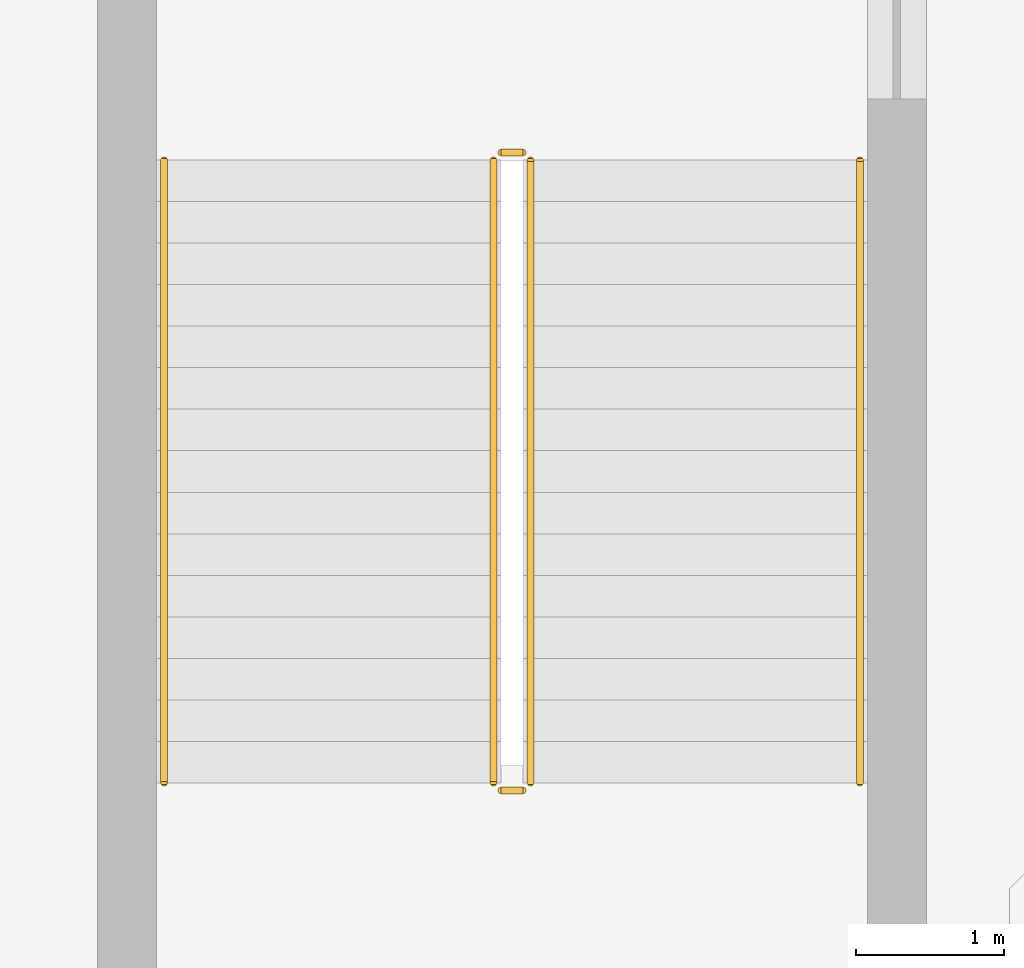
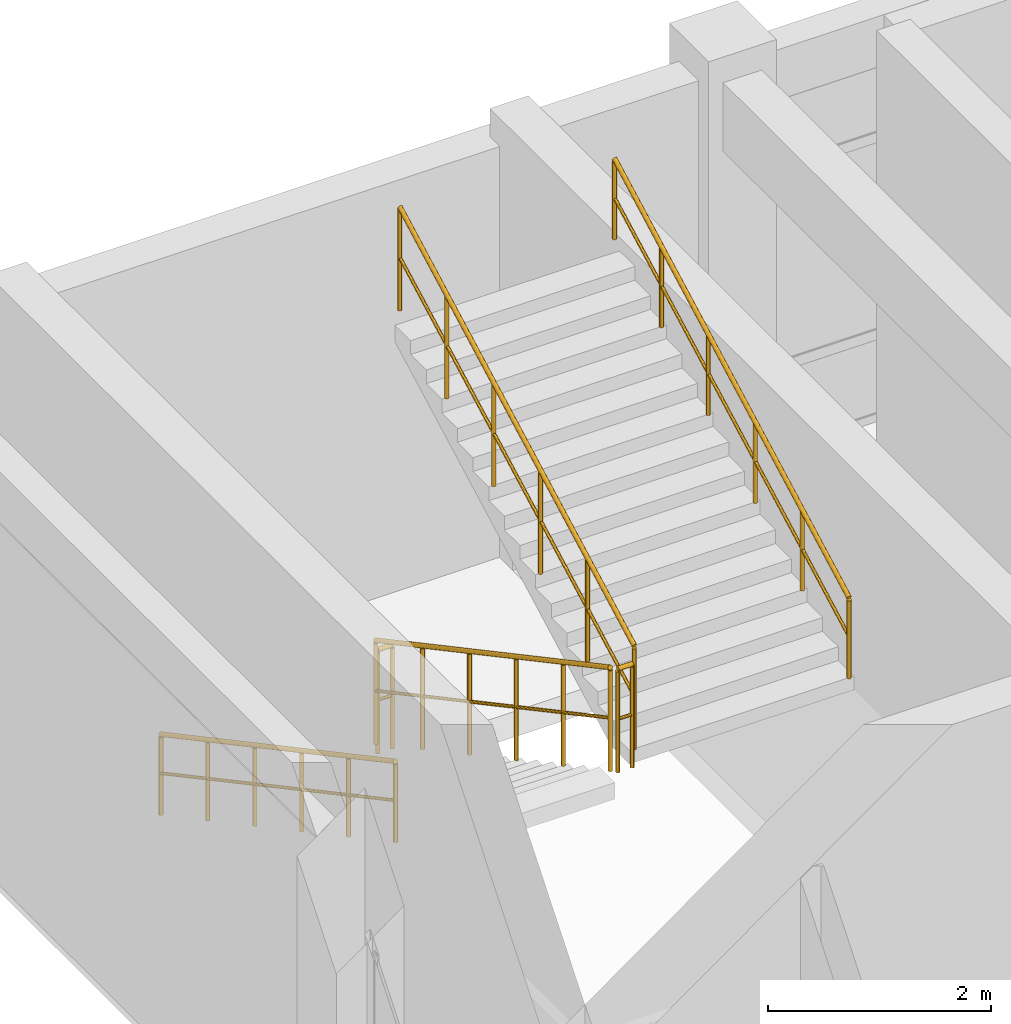
# One storey, part 73 of 76: 6 railings.
"""IFC4 building model written with IfcOpenShell, lengths in metres."""

from ifc_helpers import new_model, si_unit, derived_unit, direction, frame, origin, origin_2d, place, context, subcontext, project, spatial, circle, extrude, material, type_object, element, save


model = new_model("IFC4")

# Units and contexts
model_context = context("Model", 3, precision=1e-05, world=origin(), true_north=direction((0.0, 1.0)))
body_context = subcontext(model_context, "Body", "Model", "MODEL_VIEW")
ifc_project = project(units=[si_unit("LENGTHUNIT", "METRE"), si_unit("AREAUNIT", "SQUARE_METRE"), si_unit("VOLUMEUNIT", "CUBIC_METRE"), si_unit("PLANEANGLEUNIT", "RADIAN"), si_unit("MASSUNIT", "GRAM", prefix="KILO"), derived_unit("THERMALTRANSMITTANCEUNIT", [(si_unit("MASSUNIT", "GRAM", prefix="KILO"), 1), (si_unit("TIMEUNIT", "SECOND"), -3), (si_unit("THERMODYNAMICTEMPERATUREUNIT", "KELVIN"), -1)])], contexts=[model_context])

# Site, building, storey
site_placement = place(None, origin())
site = spatial("IfcSite", under=ifc_project, at=site_placement, CompositionType="ELEMENT")
building_placement = place(site_placement, origin())
building = spatial("IfcBuilding", under=site, at=building_placement, Name="Qinzheling Arcade Emporium", CompositionType="ELEMENT")
storey_placement = place(building_placement, frame((0.0, 0.0, 26.699951171875)))
storey = spatial("IfcBuildingStorey", under=building, at=storey_placement, Name="L06", CompositionType="ELEMENT", Elevation=26.699951171875)

# Railings
ifc_material_1 = material(Name="Galvanised powder-coated tubular steel", Category="steel")
railing_type_1 = type_object("IfcRailingType", Name="Painted Steel Stairwell Guard Railing 1150", PredefinedType="GUARDRAIL", material=ifc_material_1)
railing_1_placement = place(storey_placement, frame((38.570068359375, 71.47998046875, 0.150146484375)))
element("IfcRailing", 1, at=railing_1_placement, inside=storey, type_object=railing_type_1, Name="L06 ST03 stair guard 1", PredefinedType="GUARDRAIL", context=body_context, shape_type="SweptSolid", body=[
    extrude(circle(Radius=0.02392578125, at=origin_2d()), frame((0.0, 0.0, 1.1259765625), z_axis=(0.0, -0.881477684796, 0.472225678258), x_axis=(1.0, 0.0, 0.0)), (0.0, 0.0, 1.0), 4.7646484375),
    extrude(circle(Radius=0.01611328125, at=origin_2d()), frame((0.0, 0.0, 0.574951171875), z_axis=(0.0, -0.881477684796, 0.472225678258), x_axis=(1.0, 0.0, 0.0)), (0.0, 0.0, 1.0), 4.7646484375),
    extrude(circle(Radius=0.02099609375, at=origin_2d()), origin(), (0.0, 0.0, 1.0), 1.101806640625),
    extrude(circle(Radius=0.02099609375, at=origin_2d()), frame((0.0, -0.840087890625, 0.449951171875)), (0.0, 0.0, 1.0), 1.101806640625),
    extrude(circle(Radius=0.02099609375, at=origin_2d()), frame((0.0, -1.679931640625, 0.89990234375)), (0.0, 0.0, 1.0), 1.101806640625),
    extrude(circle(Radius=0.02099609375, at=origin_2d()), frame((0.0, -2.52001953125, 1.35009765625)), (0.0, 0.0, 1.0), 1.101806640625),
    extrude(circle(Radius=0.02099609375, at=origin_2d()), frame((0.0, -3.35986328125, 1.800048828125)), (0.0, 0.0, 1.0), 1.101806640625),
    extrude(circle(Radius=0.02099609375, at=origin_2d()), frame((0.0, -4.199951171875, 2.25)), (0.0, 0.0, 1.0), 1.101806640625),
])
railing_2_placement = place(storey_placement, frame((38.6201171875, 67.22998046875, 2.400146484375)))
element("IfcRailing", 2, at=railing_2_placement, inside=storey, type_object=railing_type_1, Name="L06 ST03 stair guard 2", PredefinedType="GUARDRAIL", context=body_context, shape_type="SweptSolid", body=[
    extrude(circle(Radius=0.02392578125, at=origin_2d()), frame((0.0, 0.0, 1.1259765625), z_axis=(1.0, 0.0, 0.0), x_axis=(0.0, 1.0, 0.0)), (0.0, 0.0, 1.0), 0.14990234375),
    extrude(circle(Radius=0.01611328125, at=origin_2d()), frame((0.0, 0.0, 0.574951171875), z_axis=(1.0, 0.0, 0.0), x_axis=(0.0, 1.0, 0.0)), (0.0, 0.0, 1.0), 0.14990234375),
    extrude(circle(Radius=0.02099609375, at=origin_2d()), origin(), (0.0, 0.0, 1.0), 1.101806640625),
    extrude(circle(Radius=0.02099609375, at=origin_2d()), frame((0.14990234375, 0.0, 0.0)), (0.0, 0.0, 1.0), 1.101806640625),
])
railing_3_placement = place(storey_placement, frame((38.820068359375, 67.280029296875, 2.550048828125)))
element("IfcRailing", 3, at=railing_3_placement, inside=storey, type_object=railing_type_1, Name="L06 ST03 stair guard 3", PredefinedType="GUARDRAIL", context=body_context, shape_type="SweptSolid", body=[
    extrude(circle(Radius=0.02392578125, at=origin_2d()), frame((0.0, 0.0, 1.1259765625), z_axis=(0.0, 0.881477684796, 0.472225678258), x_axis=(-1.0, 0.0, 0.0)), (0.0, 0.0, 1.0), 4.7646484375),
    extrude(circle(Radius=0.01611328125, at=origin_2d()), frame((0.0, 0.0, 0.574951171875), z_axis=(0.0, 0.881477684796, 0.472225678258), x_axis=(-1.0, 0.0, 0.0)), (0.0, 0.0, 1.0), 4.7646484375),
    extrude(circle(Radius=0.02099609375, at=origin_2d()), origin(), (0.0, 0.0, 1.0), 1.101806640625),
    extrude(circle(Radius=0.02099609375, at=origin_2d()), frame((0.0, 0.840087890625, 0.449951171875)), (0.0, 0.0, 1.0), 1.101806640625),
    extrude(circle(Radius=0.02099609375, at=origin_2d()), frame((0.0, 1.679931640625, 0.89990234375)), (0.0, 0.0, 1.0), 1.101806640625),
    extrude(circle(Radius=0.02099609375, at=origin_2d()), frame((0.0, 2.52001953125, 1.35009765625)), (0.0, 0.0, 1.0), 1.101806640625),
    extrude(circle(Radius=0.02099609375, at=origin_2d()), frame((0.0, 3.35986328125, 1.800048828125)), (0.0, 0.0, 1.0), 1.101806640625),
    extrude(circle(Radius=0.02099609375, at=origin_2d()), frame((0.0, 4.199951171875, 2.25)), (0.0, 0.0, 1.0), 1.101806640625),
])
railing_4_placement = place(storey_placement, frame((38.6201171875, 71.530029296875, 0.0)))
element("IfcRailing", 4, at=railing_4_placement, inside=storey, type_object=railing_type_1, Name="L06 ST03 stair guard 4", PredefinedType="GUARDRAIL", context=body_context, shape_type="SweptSolid", body=[
    extrude(circle(Radius=0.02392578125, at=origin_2d()), frame((0.0, 0.0, 1.1259765625), z_axis=(1.0, 0.0, 0.0), x_axis=(0.0, 1.0, 0.0)), (0.0, 0.0, 1.0), 0.14990234375),
    extrude(circle(Radius=0.01611328125, at=origin_2d()), frame((0.0, 0.0, 0.574951171875), z_axis=(1.0, 0.0, 0.0), x_axis=(0.0, 1.0, 0.0)), (0.0, 0.0, 1.0), 0.14990234375),
    extrude(circle(Radius=0.02099609375, at=origin_2d()), origin(), (0.0, 0.0, 1.0), 1.101806640625),
    extrude(circle(Radius=0.02099609375, at=origin_2d()), frame((0.14990234375, 0.0, 0.0)), (0.0, 0.0, 1.0), 1.101806640625),
])
ifc_material_2 = material(Name="Brushed stainless steel 304", Category="steel")
railing_type_2 = type_object("IfcRailingType", Name="Stainless Steel Wall Handrail 900", PredefinedType="HANDRAIL", material=ifc_material_2)
railing_5_placement = place(storey_placement, frame((36.35009765625, 71.47998046875, 0.150146484375)))
element("IfcRailing", 5, at=railing_5_placement, inside=storey, type_object=railing_type_2, Name="L06 ST03 stair handrail 1", PredefinedType="HANDRAIL", context=body_context, shape_type="SweptSolid", body=[
    extrude(circle(Radius=0.02392578125, at=origin_2d()), frame((0.0, 0.0, 0.8759765625), z_axis=(0.0, -0.881477684796, 0.472225678258), x_axis=(1.0, 0.0, 0.0)), (0.0, 0.0, 1.0), 4.7646484375),
    extrude(circle(Radius=0.01611328125, at=origin_2d()), frame((0.0, 0.0, 0.449951171875), z_axis=(0.0, -0.881477684796, 0.472225678258), x_axis=(1.0, 0.0, 0.0)), (0.0, 0.0, 1.0), 4.7646484375),
    extrude(circle(Radius=0.02099609375, at=origin_2d()), origin(), (0.0, 0.0, 1.0), 0.851806640625),
    extrude(circle(Radius=0.02099609375, at=origin_2d()), frame((0.0, -0.840087890625, 0.449951171875)), (0.0, 0.0, 1.0), 0.851806640625),
    extrude(circle(Radius=0.02099609375, at=origin_2d()), frame((0.0, -1.679931640625, 0.89990234375)), (0.0, 0.0, 1.0), 0.851806640625),
    extrude(circle(Radius=0.02099609375, at=origin_2d()), frame((0.0, -2.52001953125, 1.35009765625)), (0.0, 0.0, 1.0), 0.851806640625),
    extrude(circle(Radius=0.02099609375, at=origin_2d()), frame((0.0, -3.35986328125, 1.800048828125)), (0.0, 0.0, 1.0), 0.851806640625),
    extrude(circle(Radius=0.02099609375, at=origin_2d()), frame((0.0, -4.199951171875, 2.25)), (0.0, 0.0, 1.0), 0.851806640625),
])
railing_6_placement = place(storey_placement, frame((41.0400390625, 67.280029296875, 2.550048828125)))
element("IfcRailing", 6, at=railing_6_placement, inside=storey, type_object=railing_type_2, Name="L06 ST03 stair handrail 2", PredefinedType="HANDRAIL", context=body_context, shape_type="SweptSolid", body=[
    extrude(circle(Radius=0.02392578125, at=origin_2d()), frame((0.0, 0.0, 0.8759765625), z_axis=(0.0, 0.881477684796, 0.472225678258), x_axis=(-1.0, 0.0, 0.0)), (0.0, 0.0, 1.0), 4.7646484375),
    extrude(circle(Radius=0.01611328125, at=origin_2d()), frame((0.0, 0.0, 0.449951171875), z_axis=(0.0, 0.881477684796, 0.472225678258), x_axis=(-1.0, 0.0, 0.0)), (0.0, 0.0, 1.0), 4.7646484375),
    extrude(circle(Radius=0.02099609375, at=origin_2d()), origin(), (0.0, 0.0, 1.0), 0.851806640625),
    extrude(circle(Radius=0.02099609375, at=origin_2d()), frame((0.0, 0.840087890625, 0.449951171875)), (0.0, 0.0, 1.0), 0.851806640625),
    extrude(circle(Radius=0.02099609375, at=origin_2d()), frame((0.0, 1.679931640625, 0.89990234375)), (0.0, 0.0, 1.0), 0.851806640625),
    extrude(circle(Radius=0.02099609375, at=origin_2d()), frame((0.0, 2.52001953125, 1.35009765625)), (0.0, 0.0, 1.0), 0.851806640625),
    extrude(circle(Radius=0.02099609375, at=origin_2d()), frame((0.0, 3.35986328125, 1.800048828125)), (0.0, 0.0, 1.0), 0.851806640625),
    extrude(circle(Radius=0.02099609375, at=origin_2d()), frame((0.0, 4.199951171875, 2.25)), (0.0, 0.0, 1.0), 0.851806640625),
])

save(model, "model.ifc")
